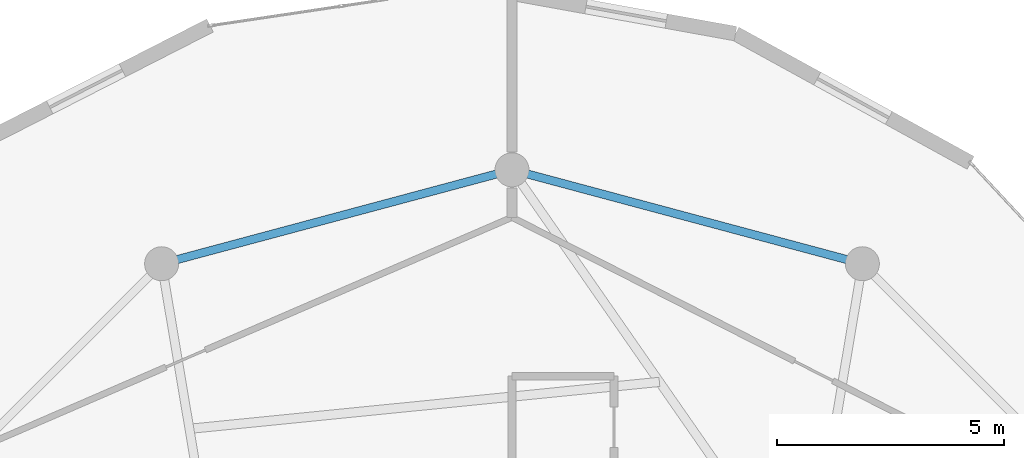
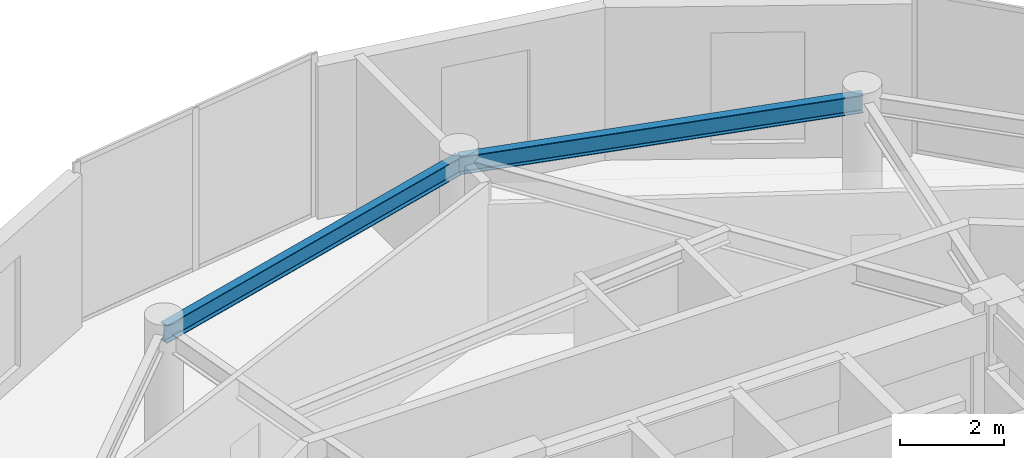
# One storey, part 14 of 23: 2 beams.
"""IFC4 building model written with IfcOpenShell, lengths in metres."""

from ifc_helpers import new_model, si_unit, direction, frame, origin, origin_2d, place, context, subcontext, project, spatial, i_section, extrude, material, material_profile, profile_set, type_object, element, save


model = new_model("IFC4")

# Units and contexts
model_context = context("Model", 3, precision=1e-05, world=origin(), true_north=direction((0.0, 1.0)))
body_context = subcontext(model_context, "Body", "Model", "MODEL_VIEW")
ifc_project = project(units=[si_unit("LENGTHUNIT", "METRE"), si_unit("AREAUNIT", "SQUARE_METRE"), si_unit("VOLUMEUNIT", "CUBIC_METRE"), si_unit("PLANEANGLEUNIT", "RADIAN"), si_unit("MASSUNIT", "GRAM", prefix="KILO")], contexts=[model_context])

# Site, building, storey
site_placement = place(None, origin())
site = spatial("IfcSite", under=ifc_project, at=site_placement, CompositionType="ELEMENT")
building_placement = place(site_placement, origin())
building = spatial("IfcBuilding", under=site, at=building_placement, Name="Solvirekh Grand Hotel", CompositionType="ELEMENT")
storey_placement = place(building_placement, frame((0.0, 0.0, 282.0)))
storey = spatial("IfcBuildingStorey", under=building, at=storey_placement, Name="L73", CompositionType="ELEMENT", Elevation=282.0)

# Beams
ifc_material = material(Name="Steel S355", Category="steel")
ifc_material_profile = material_profile(ifc_material, i_section(OverallWidth=0.180908203125, OverallDepth=0.4169921875, WebThickness=0.010009765625, FlangeThickness=0.01611328125, FilletRadius=0.011962890625, at=origin_2d()), Name="W410X85")
ifc_profile_set = profile_set([ifc_material_profile], Name="Steel S355")
beam_type = type_object("IfcBeamType", Name="Spandrel_Ring_W410", PredefinedType="SPANDREL", material=ifc_profile_set)
for number, where, z_axis, x_axis, name in (
    (1, (7.72509765625, 13.3798828125, 3.361083984375), (-0.965921616143, 0.258834757072, 0.0), (-0.258834757072, -0.965921616143, 0.0), "L73 perimeter spandrel beam 3"),
    (2, (0.0, 15.449951171875, 3.361083984375), (-0.965921616143, -0.258834757072, 0.0), (0.258834757072, -0.965921616143, 0.0), "L73 perimeter spandrel beam 4"),
):
    element("IfcBeam", number, at=place(storey_placement, frame(where, z_axis=z_axis, x_axis=x_axis)), inside=storey, type_object=beam_type, Name=name, PredefinedType="SPANDREL", context=body_context, shape_type="SweptSolid", body=[
        extrude(i_section(OverallWidth=0.180908203125, OverallDepth=0.4169921875, WebThickness=0.010009765625, FlangeThickness=0.01611328125, FilletRadius=0.011962890625, at=origin_2d()), origin(), (0.0, 0.0, 1.0), 7.99755859375),
    ])

save(model, "model.ifc")
